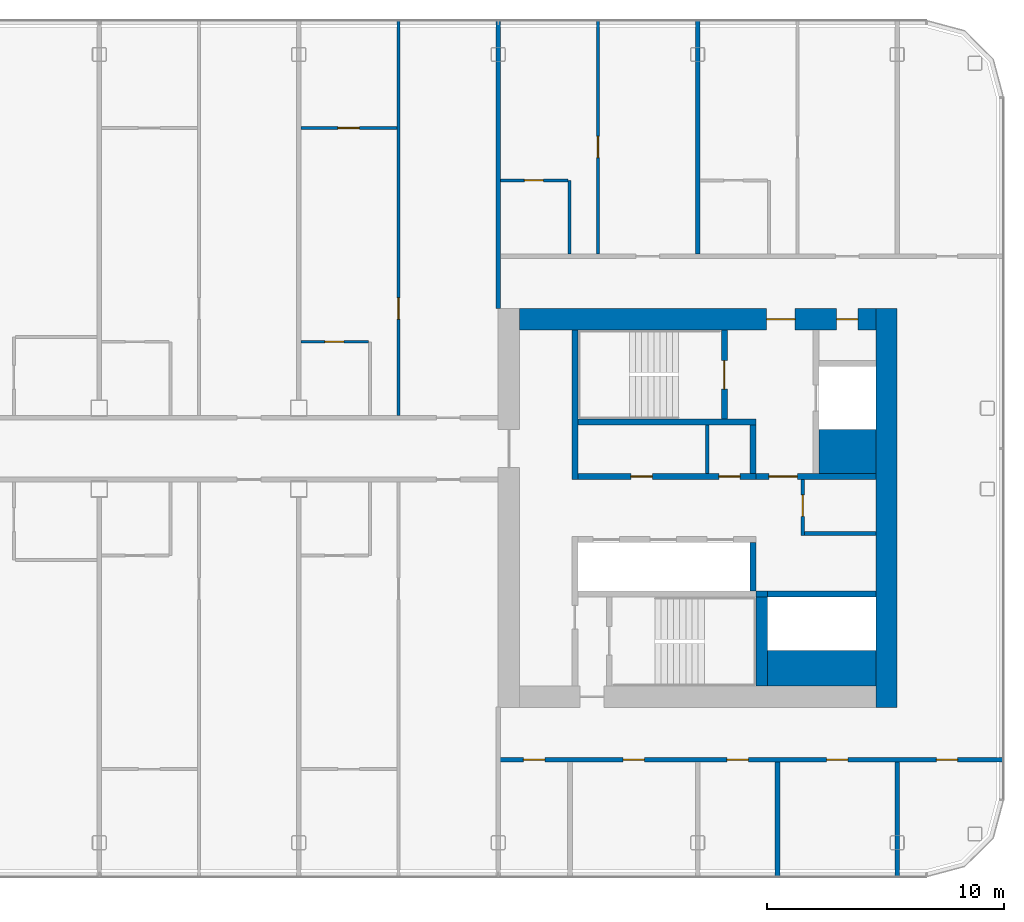
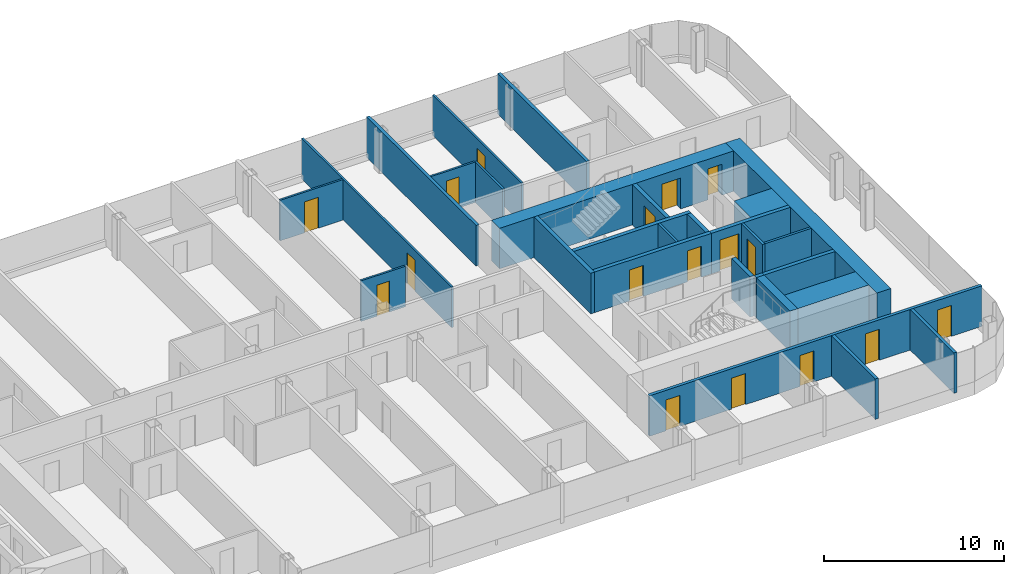
# One storey, part 16 of 26: 28 walls, 17 doors, 17 openings.
"""IFC4 building model written with IfcOpenShell, lengths in metres."""

from ifc_helpers import new_model, si_unit, direction, frame, frame_2d, origin, place, context, subcontext, project, spatial, rectangle, extrude, material, layer, layer_set, type_object, element, fill, save


model = new_model("IFC4")

# Units and contexts
model_context = context("Model", 3, precision=1e-05, world=origin(), true_north=direction((0.0, 1.0)))
body_context = subcontext(model_context, "Body", "Model", "MODEL_VIEW")
ifc_project = project(units=[si_unit("LENGTHUNIT", "METRE"), si_unit("AREAUNIT", "SQUARE_METRE"), si_unit("VOLUMEUNIT", "CUBIC_METRE"), si_unit("PLANEANGLEUNIT", "RADIAN"), si_unit("MASSUNIT", "GRAM", prefix="KILO")], contexts=[model_context])

# Site, building, storey
site_placement = place(None, origin())
site = spatial("IfcSite", under=ifc_project, at=site_placement, CompositionType="ELEMENT")
building_placement = place(site_placement, origin())
building = spatial("IfcBuilding", under=site, at=building_placement, Name="Hakoniwa Tower and Hamabe Station Hall", CompositionType="ELEMENT")
storey_placement = place(building_placement, frame((0.0, 0.0, 199.39990234375)))
storey = spatial("IfcBuildingStorey", under=building, at=storey_placement, Name="L56", CompositionType="ELEMENT", Elevation=199.39990234375)

# Wall, opening, door
ifc_material_1 = material(Name="Gypsum board partition", Category="gypsum")
ifc_layer_1 = layer(ifc_material_1, 0.125)
ifc_layer_set_1 = layer_set([ifc_layer_1], Name="Bathroom Partition 125")
wall_type_1 = type_object("IfcWallType", Name="Bathroom Partition 125", PredefinedType="PARTITIONING", material=ifc_layer_set_1)
wall_1_placement = place(storey_placement, frame((8.5, 7.0, 0.0), z_axis=(0.0, 0.0, 1.0), x_axis=(1.0, 0.0, 0.0)))
wall_1 = element("IfcWall", 1, at=wall_1_placement, inside=storey, type_object=wall_type_1, Name="GW-L56-014", PredefinedType="PARTITIONING", context=body_context, shape_type="SweptSolid", body=[
    extrude(rectangle(XDim=2.83740234375, YDim=0.125, at=frame_2d((1.418701171875, 0.0))), origin(), (0.0, 0.0, 1.0), 2.75),
])
opening_1_placement = place(wall_1_placement, frame((1.0, 0.0, 0.0)))
opening_1 = element("IfcOpeningElement", 2, at=opening_1_placement, cuts=wall_1, Name="Opening GD-G4E0-26", PredefinedType="OPENING", context=body_context, shape_type="SweptSolid", body=[
    extrude(rectangle(XDim=0.800048828125, YDim=2.10009765625, at=frame_2d((0.39990234375, 1.050048828125))), frame((0.0, 0.072509765625, 0.0), z_axis=(0.0, -1.0, 0.0), x_axis=(1.0, 0.0, 0.0)), (0.0, 0.0, 1.0), 0.14501953125),
])
ifc_material_2 = material(Name="Timber door leaf", Category="wood")
door_type_1 = type_object("IfcDoorType", Name="Bathroom Door 800", OperationType="SINGLE_SWING_LEFT", PredefinedType="DOOR", material=ifc_material_2)
door_1_placement = place(opening_1_placement, origin())
door_1 = element("IfcDoor", 3, at=door_1_placement, inside=storey, type_object=door_type_1, Name="Door GD-G4E0-26", OperationType="SINGLE_SWING_LEFT", OverallHeight=2.10009765625, OverallWidth=0.800048828125, PredefinedType="DOOR", context=body_context, shape_type="SweptSolid", body=[
    extrude(rectangle(XDim=0.800048828125, YDim=2.10009765625, at=frame_2d((0.39990234375, 1.050048828125))), frame((0.0, 0.02490234375, 0.0), z_axis=(0.0, -1.0, 0.0), x_axis=(1.0, 0.0, 0.0)), (0.0, 0.0, 1.0), 0.050048828125),
])
fill(opening_1, door_1)

wall_2_placement = place(storey_placement, frame((16.89990234375, 13.800048828125, 0.0), z_axis=(0.0, 0.0, 1.0), x_axis=(1.0, 0.0, 0.0)))
wall_2 = element("IfcWall", 4, at=wall_2_placement, inside=storey, type_object=wall_type_1, Name="GW-L56-018", PredefinedType="PARTITIONING", context=body_context, shape_type="SweptSolid", body=[
    extrude(rectangle(XDim=2.837646484375, YDim=0.125, at=frame_2d((1.4189453125, 0.0))), origin(), (0.0, 0.0, 1.0), 2.75),
])
opening_2_placement = place(wall_2_placement, frame((1.0, 0.0, 0.0)))
opening_2 = element("IfcOpeningElement", 5, at=opening_2_placement, cuts=wall_2, Name="Opening GD-G4E0-35", PredefinedType="OPENING", context=body_context, shape_type="SweptSolid", body=[
    extrude(rectangle(XDim=0.800048828125, YDim=2.10009765625, at=frame_2d((0.39990234375, 1.050048828125))), frame((0.0, 0.072509765625, 0.0), z_axis=(0.0, -1.0, 0.0), x_axis=(1.0, 0.0, 0.0)), (0.0, 0.0, 1.0), 0.14501953125),
])
door_2_placement = place(opening_2_placement, origin())
door_2 = element("IfcDoor", 6, at=door_2_placement, inside=storey, type_object=door_type_1, Name="Door GD-G4E0-35", OperationType="SINGLE_SWING_LEFT", OverallHeight=2.10009765625, OverallWidth=0.800048828125, PredefinedType="DOOR", context=body_context, shape_type="SweptSolid", body=[
    extrude(rectangle(XDim=0.800048828125, YDim=2.10009765625, at=frame_2d((0.39990234375, 1.050048828125))), frame((0.0, 0.02490234375, 0.0), z_axis=(0.0, -1.0, 0.0), x_axis=(1.0, 0.0, 0.0)), (0.0, 0.0, 1.0), 0.050048828125),
])
fill(opening_2, door_2)

# Wall
wall_3_placement = place(storey_placement, frame((19.800048828125, 10.699951171875, 0.0), z_axis=(0.0, 0.0, 1.0), x_axis=(0.0, 1.0, 0.0)))
element("IfcWall", 7, at=wall_3_placement, inside=storey, type_object=wall_type_1, Name="GW-L56-054", PredefinedType="PARTITIONING", context=body_context, shape_type="SweptSolid", body=[
    extrude(rectangle(XDim=3.10009765625, YDim=0.125, at=frame_2d((1.550048828125, 0.0))), origin(), (0.0, 0.0, 1.0), 2.75),
])

# Wall, opening, door
ifc_material_3 = material(Name="Gypsum board partition")
ifc_layer_2 = layer(ifc_material_3, 0.14990234375)
ifc_layer_set_2 = layer_set([ifc_layer_2], Name="CORE PARTITION 150 EI 60")
wall_type_2 = type_object("IfcWallType", Name="CORE PARTITION 150 EI 60", PredefinedType="PARTITIONING", material=ifc_layer_set_2)
wall_4_placement = place(storey_placement, frame((29.625, -1.14990234375, 0.0), z_axis=(0.0, 0.0, 1.0), x_axis=(0.0, 1.0, 0.0)))
wall_4 = element("IfcWall", 8, at=wall_4_placement, inside=storey, type_object=wall_type_2, Name="Core partition PW0 east", PredefinedType="PARTITIONING", context=body_context, shape_type="SweptSolid", body=[
    extrude(rectangle(XDim=2.349853515625, YDim=0.14990234375, at=frame_2d((1.1748046875, 0.0))), origin(), (0.0, 0.0, 1.0), 2.75),
])
opening_3_placement = place(wall_4_placement, frame((0.800048828125, 0.0, 0.0)))
opening_3 = element("IfcOpeningElement", 9, at=opening_3_placement, cuts=wall_4, Name="Opening CD-E-RM1-9", PredefinedType="OPENING", context=body_context, shape_type="SweptSolid", body=[
    extrude(rectangle(XDim=0.89990234375, YDim=2.10009765625, at=frame_2d((0.449951171875, 1.050048828125))), frame((0.0, 0.0849609375, 0.0), z_axis=(0.0, -1.0, 0.0), x_axis=(1.0, 0.0, 0.0)), (0.0, 0.0, 1.0), 0.169921875),
])
ifc_material_4 = material(Name="Steel fire door", Category="steel")
door_type_2 = type_object("IfcDoorType", Name="CORE DOOR 900 FD30", OperationType="NOTDEFINED", PredefinedType="DOOR", material=ifc_material_4)
door_3_placement = place(opening_3_placement, origin())
door_3 = element("IfcDoor", 10, at=door_3_placement, inside=storey, type_object=door_type_2, Name="Store room door", OperationType="SINGLE_SWING_LEFT", OverallHeight=2.10009765625, OverallWidth=0.89990234375, PredefinedType="DOOR", context=body_context, shape_type="SweptSolid", body=[
    extrude(rectangle(XDim=0.89990234375, YDim=2.10009765625, at=frame_2d((0.449951171875, 1.050048828125))), frame((0.0, 0.02490234375, 0.0), z_axis=(0.0, -1.0, 0.0), x_axis=(1.0, 0.0, 0.0)), (0.0, 0.0, 1.0), 0.050048828125),
])
fill(opening_3, door_3)

# Walls
wall_5_placement = place(storey_placement, frame((29.699951171875, -1.074951171875, 0.0), z_axis=(0.0, 0.0, 1.0), x_axis=(1.0, 0.0, 0.0)))
element("IfcWall", 11, at=wall_5_placement, inside=storey, type_object=wall_type_2, Name="Core partition PS east", PredefinedType="PARTITIONING", context=body_context, shape_type="SweptSolid", body=[
    extrude(rectangle(XDim=3.0, YDim=0.14990234375, at=frame_2d((1.5, 0.0))), origin(), (0.0, 0.0, 1.0), 2.75),
])
wall_6_placement = place(storey_placement, frame((25.60009765625, 1.449951171875, 0.0), z_axis=(0.0, 0.0, 1.0), x_axis=(0.0, 1.0, 0.0)))
element("IfcWall", 12, at=wall_6_placement, inside=storey, type_object=wall_type_2, Name="Core partition PFLR0 east", PredefinedType="PARTITIONING", context=body_context, shape_type="SweptSolid", body=[
    extrude(rectangle(XDim=2.050048828125, YDim=0.14990234375, at=frame_2d((1.02490234375, 0.0))), origin(), (0.0, 0.0, 1.0), 2.75),
])
ifc_material_5 = material(Name="Concrete C60", Category="concrete")
ifc_layer_3 = layer(ifc_material_5, 0.89990234375)
ifc_layer_set_3 = layer_set([ifc_layer_3], Name="CORE WALL 900 C60")
wall_type_3 = type_object("IfcWallType", Name="CORE WALL 900 C60", PredefinedType="SHEAR", material=ifc_layer_set_3)
wall_7_placement = place(storey_placement, frame((33.14990234375, -8.39990234375, 0.0), z_axis=(0.0, 0.0, 1.0), x_axis=(0.0, 1.0, 0.0)))
element("IfcWall", 13, at=wall_7_placement, inside=storey, type_object=wall_type_3, Name="Core wall OUTER east", PredefinedType="SHEAR", context=body_context, shape_type="SweptSolid", body=[
    extrude(rectangle(XDim=16.7998046875, YDim=0.89990234375, at=frame_2d((8.39990234375, 0.0))), origin(), (0.0, 0.0, 1.0), 2.75),
])

# Wall, openings, doors
wall_8_placement = place(storey_placement, frame((17.699951171875, 7.949951171875, 0.0), z_axis=(0.0, 0.0, 1.0), x_axis=(1.0, 0.0, 0.0)))
wall_8 = element("IfcWall", 14, at=wall_8_placement, inside=storey, type_object=wall_type_3, Name="Core wall NORTH east", PredefinedType="SHEAR", context=body_context, shape_type="SweptSolid", body=[
    extrude(rectangle(XDim=15.0, YDim=0.89990234375, at=frame_2d((7.5, 0.0))), origin(), (0.0, 0.0, 1.0), 2.75),
])
opening_4_placement = place(wall_8_placement, frame((10.39990234375, 0.0, 0.0)))
opening_4 = element("IfcOpeningElement", 15, at=opening_4_placement, cuts=wall_8, Name="Opening CD-E-FN1-12", PredefinedType="OPENING", context=body_context, shape_type="SweptSolid", body=[
    extrude(rectangle(XDim=1.199951171875, YDim=2.10009765625, at=frame_2d((0.60009765625, 1.050048828125))), frame((0.0, 0.4599609375, 0.0), z_axis=(0.0, -1.0, 0.0), x_axis=(1.0, 0.0, 0.0)), (0.0, 0.0, 1.0), 0.919921875),
])
opening_5_placement = place(wall_8_placement, frame((13.35009765625, 0.0, 0.0)))
opening_5 = element("IfcOpeningElement", 16, at=opening_5_placement, cuts=wall_8, Name="Opening CD-E-FN2-9", PredefinedType="OPENING", context=body_context, shape_type="SweptSolid", body=[
    extrude(rectangle(XDim=0.89990234375, YDim=2.10009765625, at=frame_2d((0.449951171875, 1.050048828125))), frame((0.0, 0.4599609375, 0.0), z_axis=(0.0, -1.0, 0.0), x_axis=(1.0, 0.0, 0.0)), (0.0, 0.0, 1.0), 0.919921875),
])
ifc_material_6 = material(Name="Steel fire door", Category="steel")
door_type_3 = type_object("IfcDoorType", Name="CORE DOOR 1200 FD60", OperationType="DOUBLE_DOOR_SINGLE_SWING", PredefinedType="DOOR", material=ifc_material_6)
door_4_placement = place(opening_4_placement, origin())
door_4 = element("IfcDoor", 17, at=door_4_placement, inside=storey, type_object=door_type_3, Name="Stair vestibule door to the fire-fighting lobby", OperationType="DOUBLE_DOOR_SINGLE_SWING", OverallHeight=2.10009765625, OverallWidth=1.199951171875, PredefinedType="DOOR", context=body_context, shape_type="SweptSolid", body=[
    extrude(rectangle(XDim=1.199951171875, YDim=2.10009765625, at=frame_2d((0.60009765625, 1.050048828125))), frame((0.0, 0.02490234375, 0.0), z_axis=(0.0, -1.0, 0.0), x_axis=(1.0, 0.0, 0.0)), (0.0, 0.0, 1.0), 0.050048828125),
])
fill(opening_4, door_4)
door_5_placement = place(opening_5_placement, origin())
door_5 = element("IfcDoor", 18, at=door_5_placement, inside=storey, type_object=door_type_2, Name="Riser access door", OperationType="SINGLE_SWING_LEFT", OverallHeight=2.10009765625, OverallWidth=0.89990234375, PredefinedType="DOOR", context=body_context, shape_type="SweptSolid", body=[
    extrude(rectangle(XDim=0.89990234375, YDim=2.10009765625, at=frame_2d((0.449951171875, 1.050048828125))), frame((0.0, 0.02490234375, 0.0), z_axis=(0.0, -1.0, 0.0), x_axis=(1.0, 0.0, 0.0)), (0.0, 0.0, 1.0), 0.050048828125),
])
fill(opening_5, door_5)

# Walls
ifc_material_7 = material(Name="Concrete C60", Category="concrete")
ifc_layer_4 = layer(ifc_material_7, 1.5)
ifc_layer_set_4 = layer_set([ifc_layer_4], Name="CORE WEB WALL 1500 C60")
wall_type_4 = type_object("IfcWallType", Name="CORE WEB WALL 1500 C60", PredefinedType="SHEAR", material=ifc_layer_set_4)
wall_9_placement = place(storey_placement, frame((28.14990234375, -6.75, 0.0), z_axis=(0.0, 0.0, 1.0), x_axis=(1.0, 0.0, 0.0)))
element("IfcWall", 19, at=wall_9_placement, inside=storey, type_object=wall_type_4, Name="Core wall SER east", PredefinedType="SHEAR", context=body_context, shape_type="SweptSolid", body=[
    extrude(rectangle(XDim=4.550048828125, YDim=1.5, at=frame_2d((2.27490234375, 0.0))), origin(), (0.0, 0.0, 1.0), 2.75),
])
ifc_material_8 = material(Name="Concrete C60", Category="concrete")
ifc_layer_5 = layer(ifc_material_8, 1.85009765625)
ifc_layer_set_5 = layer_set([ifc_layer_5], Name="CORE WEB WALL 1850 C60")
wall_type_5 = type_object("IfcWallType", Name="CORE WEB WALL 1850 C60", PredefinedType="SHEAR", material=ifc_layer_set_5)
wall_10_placement = place(storey_placement, frame((30.300048828125, 2.375, 0.0), z_axis=(0.0, 0.0, 1.0), x_axis=(1.0, 0.0, 0.0)))
element("IfcWall", 20, at=wall_10_placement, inside=storey, type_object=wall_type_5, Name="Core wall CA east", PredefinedType="SHEAR", context=body_context, shape_type="SweptSolid", body=[
    extrude(rectangle(XDim=2.39990234375, YDim=1.85009765625, at=frame_2d((1.199951171875, 0.0))), origin(), (0.0, 0.0, 1.0), 2.75),
])
ifc_material_9 = material(Name="Concrete C60", Category="concrete")
ifc_layer_6 = layer(ifc_material_9, 0.25)
ifc_layer_set_6 = layer_set([ifc_layer_6], Name="CORE WEB WALL 250 C60")
wall_type_6 = type_object("IfcWallType", Name="CORE WEB WALL 250 C60", PredefinedType="SHEAR", material=ifc_layer_set_6)
wall_11_placement = place(storey_placement, frame((20.02490234375, 1.199951171875, 0.0), z_axis=(0.0, 0.0, 1.0), x_axis=(0.0, 1.0, 0.0)))
element("IfcWall", 21, at=wall_11_placement, inside=storey, type_object=wall_type_6, Name="Core wall W1N east", PredefinedType="SHEAR", context=body_context, shape_type="SweptSolid", body=[
    extrude(rectangle(XDim=6.300048828125, YDim=0.25, at=frame_2d((3.14990234375, 0.0))), origin(), (0.0, 0.0, 1.0), 2.75),
])

# Wall, openings, doors
wall_12_placement = place(storey_placement, frame((20.14990234375, 1.324951171875, 0.0), z_axis=(0.0, 0.0, 1.0), x_axis=(1.0, 0.0, 0.0)))
wall_12 = element("IfcWall", 22, at=wall_12_placement, inside=storey, type_object=wall_type_6, Name="Core wall NF east", PredefinedType="SHEAR", context=body_context, shape_type="SweptSolid", body=[
    extrude(rectangle(XDim=7.5, YDim=0.25, at=frame_2d((3.75, 0.0))), origin(), (0.0, 0.0, 1.0), 2.75),
])
opening_6_placement = place(wall_12_placement, frame((2.237548828125, 0.0, 0.0)))
opening_6 = element("IfcOpeningElement", 23, at=opening_6_placement, cuts=wall_12, Name="Opening CD-E-FRLR0-9", PredefinedType="OPENING", context=body_context, shape_type="SweptSolid", body=[
    extrude(rectangle(XDim=0.89990234375, YDim=2.10009765625, at=frame_2d((0.449951171875, 1.050048828125))), frame((0.0, 0.135009765625, 0.0), z_axis=(0.0, -1.0, 0.0), x_axis=(1.0, 0.0, 0.0)), (0.0, 0.0, 1.0), 0.27001953125),
])
opening_7_placement = place(wall_12_placement, frame((5.9375, 0.0, 0.0)))
opening_7 = element("IfcOpeningElement", 24, at=opening_7_placement, cuts=wall_12, Name="Opening CD-E-FRLR1-9", PredefinedType="OPENING", context=body_context, shape_type="SweptSolid", body=[
    extrude(rectangle(XDim=0.89990234375, YDim=2.10009765625, at=frame_2d((0.449951171875, 1.050048828125))), frame((0.0, 0.135009765625, 0.0), z_axis=(0.0, -1.0, 0.0), x_axis=(1.0, 0.0, 0.0)), (0.0, 0.0, 1.0), 0.27001953125),
])
door_6_placement = place(opening_6_placement, origin())
door_6 = element("IfcDoor", 25, at=door_6_placement, inside=storey, type_object=door_type_2, Name="Store room door", OperationType="SINGLE_SWING_LEFT", OverallHeight=2.10009765625, OverallWidth=0.89990234375, PredefinedType="DOOR", context=body_context, shape_type="SweptSolid", body=[
    extrude(rectangle(XDim=0.89990234375, YDim=2.10009765625, at=frame_2d((0.449951171875, 1.050048828125))), frame((0.0, 0.02490234375, 0.0), z_axis=(0.0, -1.0, 0.0), x_axis=(1.0, 0.0, 0.0)), (0.0, 0.0, 1.0), 0.050048828125),
])
fill(opening_6, door_6)
door_7_placement = place(opening_7_placement, origin())
door_7 = element("IfcDoor", 26, at=door_7_placement, inside=storey, type_object=door_type_2, Name="Store room door", OperationType="SINGLE_SWING_RIGHT", OverallHeight=2.10009765625, OverallWidth=0.89990234375, PredefinedType="DOOR", context=body_context, shape_type="SweptSolid", body=[
    extrude(rectangle(XDim=0.89990234375, YDim=2.10009765625, at=frame_2d((0.449951171875, 1.050048828125))), frame((0.0, 0.02490234375, 0.0), z_axis=(0.0, -1.0, 0.0), x_axis=(1.0, 0.0, 0.0)), (0.0, 0.0, 1.0), 0.050048828125),
])
fill(opening_7, door_7)

# Walls
wall_13_placement = place(storey_placement, frame((27.52490234375, 1.449951171875, 0.0), z_axis=(0.0, 0.0, 1.0), x_axis=(0.0, 1.0, 0.0)))
element("IfcWall", 27, at=wall_13_placement, inside=storey, type_object=wall_type_6, Name="Core wall NE east", PredefinedType="SHEAR", context=body_context, shape_type="SweptSolid", body=[
    extrude(rectangle(XDim=2.050048828125, YDim=0.25, at=frame_2d((1.02490234375, 0.0))), origin(), (0.0, 0.0, 1.0), 2.75),
])
wall_14_placement = place(storey_placement, frame((20.14990234375, 3.625, 0.0), z_axis=(0.0, 0.0, 1.0), x_axis=(1.0, 0.0, 0.0)))
element("IfcWall", 28, at=wall_14_placement, inside=storey, type_object=wall_type_6, Name="Core wall NR east", PredefinedType="SHEAR", context=body_context, shape_type="SweptSolid", body=[
    extrude(rectangle(XDim=7.5, YDim=0.25, at=frame_2d((3.75, 0.0))), origin(), (0.0, 0.0, 1.0), 2.75),
])

# Wall, opening, door
wall_15_placement = place(storey_placement, frame((26.324951171875, 3.75, 0.0), z_axis=(0.0, 0.0, 1.0), x_axis=(0.0, 1.0, 0.0)))
wall_15 = element("IfcWall", 29, at=wall_15_placement, inside=storey, type_object=wall_type_6, Name="Core wall NSE east", PredefinedType="SHEAR", context=body_context, shape_type="SweptSolid", body=[
    extrude(rectangle(XDim=3.75, YDim=0.25, at=frame_2d((1.875, 0.0))), origin(), (0.0, 0.0, 1.0), 2.75),
])
opening_8_placement = place(wall_15_placement, frame((1.25, 0.0, 0.0)))
opening_8 = element("IfcOpeningElement", 30, at=opening_8_placement, cuts=wall_15, Name="Opening CD-E-SN-12", PredefinedType="OPENING", context=body_context, shape_type="SweptSolid", body=[
    extrude(rectangle(XDim=1.199951171875, YDim=2.10009765625, at=frame_2d((0.60009765625, 1.050048828125))), frame((0.0, 0.135009765625, 0.0), z_axis=(0.0, -1.0, 0.0), x_axis=(1.0, 0.0, 0.0)), (0.0, 0.0, 1.0), 0.27001953125),
])
door_8_placement = place(opening_8_placement, origin())
door_8 = element("IfcDoor", 31, at=door_8_placement, inside=storey, type_object=door_type_3, Name="Escape stair door", OperationType="DOUBLE_DOOR_SINGLE_SWING", OverallHeight=2.10009765625, OverallWidth=1.199951171875, PredefinedType="DOOR", context=body_context, shape_type="SweptSolid", body=[
    extrude(rectangle(XDim=1.199951171875, YDim=2.10009765625, at=frame_2d((0.60009765625, 1.050048828125))), frame((0.0, 0.02490234375, 0.0), z_axis=(0.0, -1.0, 0.0), x_axis=(1.0, 0.0, 0.0)), (0.0, 0.0, 1.0), 0.050048828125),
])
fill(opening_8, door_8)

wall_16_placement = place(storey_placement, frame((27.64990234375, 1.324951171875, 0.0), z_axis=(0.0, 0.0, 1.0), x_axis=(1.0, 0.0, 0.0)))
wall_16 = element("IfcWall", 32, at=wall_16_placement, inside=storey, type_object=wall_type_6, Name="Core wall ELN east", PredefinedType="SHEAR", context=body_context, shape_type="SweptSolid", body=[
    extrude(rectangle(XDim=5.050048828125, YDim=0.25, at=frame_2d((2.52490234375, 0.0))), origin(), (0.0, 0.0, 1.0), 2.75),
])
opening_9_placement = place(wall_16_placement, frame((0.550048828125, 0.0, 0.0)))
opening_9 = element("IfcOpeningElement", 33, at=opening_9_placement, cuts=wall_16, Name="Opening CD-E-FL-12", PredefinedType="OPENING", context=body_context, shape_type="SweptSolid", body=[
    extrude(rectangle(XDim=1.199951171875, YDim=2.10009765625, at=frame_2d((0.60009765625, 1.050048828125))), frame((0.0, 0.135009765625, 0.0), z_axis=(0.0, -1.0, 0.0), x_axis=(1.0, 0.0, 0.0)), (0.0, 0.0, 1.0), 0.27001953125),
])
door_9_placement = place(opening_9_placement, origin())
door_9 = element("IfcDoor", 34, at=door_9_placement, inside=storey, type_object=door_type_3, Name="Stair vestibule door to the fire-fighting lobby", OperationType="DOUBLE_DOOR_SINGLE_SWING", OverallHeight=2.10009765625, OverallWidth=1.199951171875, PredefinedType="DOOR", context=body_context, shape_type="SweptSolid", body=[
    extrude(rectangle(XDim=1.199951171875, YDim=2.10009765625, at=frame_2d((0.60009765625, 1.050048828125))), frame((0.0, 0.02490234375, 0.0), z_axis=(0.0, -1.0, 0.0), x_axis=(1.0, 0.0, 0.0)), (0.0, 0.0, 1.0), 0.050048828125),
])
fill(opening_9, door_9)

# Walls
wall_17_placement = place(storey_placement, frame((27.52490234375, -3.5, 0.0), z_axis=(0.0, 0.0, 1.0), x_axis=(0.0, 1.0, 0.0)))
element("IfcWall", 35, at=wall_17_placement, inside=storey, type_object=wall_type_6, Name="Core wall SE east", PredefinedType="SHEAR", context=body_context, shape_type="SweptSolid", body=[
    extrude(rectangle(XDim=2.050048828125, YDim=0.25, at=frame_2d((1.02490234375, 0.0))), origin(), (0.0, 0.0, 1.0), 2.75),
])
wall_18_placement = place(storey_placement, frame((28.14990234375, -3.625, 0.0), z_axis=(0.0, 0.0, 1.0), x_axis=(1.0, 0.0, 0.0)))
element("IfcWall", 36, at=wall_18_placement, inside=storey, type_object=wall_type_6, Name="Core wall SEF east", PredefinedType="SHEAR", context=body_context, shape_type="SweptSolid", body=[
    extrude(rectangle(XDim=4.550048828125, YDim=0.25, at=frame_2d((2.27490234375, 0.0))), origin(), (0.0, 0.0, 1.0), 2.75),
])
wall_19_placement = place(storey_placement, frame((27.64990234375, -3.625, 0.0), z_axis=(0.0, 0.0, 1.0), x_axis=(1.0, 0.0, 0.0)))
element("IfcWall", 37, at=wall_19_placement, inside=storey, type_object=wall_type_6, Name="Core wall SRK east", PredefinedType="SHEAR", context=body_context, shape_type="SweptSolid", body=[
    extrude(rectangle(XDim=0.5, YDim=0.25, at=frame_2d((0.25, 0.0))), origin(), (0.0, 0.0, 1.0), 2.75),
])
ifc_material_10 = material(Name="Concrete C60", Category="concrete")
ifc_layer_7 = layer(ifc_material_10, 0.5)
ifc_layer_set_7 = layer_set([ifc_layer_7], Name="CORE WEB WALL 500 C60")
wall_type_7 = type_object("IfcWallType", Name="CORE WEB WALL 500 C60", PredefinedType="SHEAR", material=ifc_layer_set_7)
wall_20_placement = place(storey_placement, frame((27.89990234375, -7.5, 0.0), z_axis=(0.0, 0.0, 1.0), x_axis=(0.0, 1.0, 0.0)))
element("IfcWall", 38, at=wall_20_placement, inside=storey, type_object=wall_type_7, Name="Core wall SSE east", PredefinedType="SHEAR", context=body_context, shape_type="SweptSolid", body=[
    extrude(rectangle(XDim=3.75, YDim=0.5, at=frame_2d((1.875, 0.0))), origin(), (0.0, 0.0, 1.0), 2.75),
])

# Wall, openings, doors
ifc_material_11 = material(Name="Fire-rated gypsum board partition", Category="gypsum")
ifc_layer_8 = layer(ifc_material_11, 0.199951171875)
ifc_layer_set_8 = layer_set([ifc_layer_8], Name="Corridor Wall 200")
wall_type_8 = type_object("IfcWallType", Name="Corridor Wall 200", PredefinedType="PARTITIONING", material=ifc_layer_set_8)
wall_21_placement = place(storey_placement, frame((16.800048828125, -10.60009765625, 0.0), z_axis=(0.0, 0.0, 1.0), x_axis=(1.0, 0.0, 0.0)))
wall_21 = element("IfcWall", 39, at=wall_21_placement, inside=storey, type_object=wall_type_8, Name="GW-L56-005", PredefinedType="PARTITIONING", context=body_context, shape_type="SweptSolid", body=[
    extrude(rectangle(XDim=21.300048828125, YDim=0.199951171875, at=frame_2d((10.64990234375, 0.0))), origin(), (0.0, 0.0, 1.0), 2.75),
])
opening_10_placement = place(wall_21_placement, frame((1.06005859375, 0.0, 0.0)))
opening_10 = element("IfcOpeningElement", 40, at=opening_10_placement, cuts=wall_21, Name="Opening GD-G4E0-08", PredefinedType="OPENING", context=body_context, shape_type="SweptSolid", body=[
    extrude(rectangle(XDim=0.89990234375, YDim=2.10009765625, at=frame_2d((0.449951171875, 1.050048828125))), frame((0.0, 0.10986328125, 0.0), z_axis=(0.0, -1.0, 0.0), x_axis=(1.0, 0.0, 0.0)), (0.0, 0.0, 1.0), 0.219970703125),
])
opening_11_placement = place(wall_21_placement, frame((5.260009765625, 0.0, 0.0)))
opening_11 = element("IfcOpeningElement", 41, at=opening_11_placement, cuts=wall_21, Name="Opening GD-G4E0-09", PredefinedType="OPENING", context=body_context, shape_type="SweptSolid", body=[
    extrude(rectangle(XDim=0.89990234375, YDim=2.10009765625, at=frame_2d((0.449951171875, 1.050048828125))), frame((0.0, 0.10986328125, 0.0), z_axis=(0.0, -1.0, 0.0), x_axis=(1.0, 0.0, 0.0)), (0.0, 0.0, 1.0), 0.219970703125),
])
opening_12_placement = place(wall_21_placement, frame((9.6298828125, 0.0, 0.0)))
opening_12 = element("IfcOpeningElement", 42, at=opening_12_placement, cuts=wall_21, Name="Opening GD-G4E0-10", PredefinedType="OPENING", context=body_context, shape_type="SweptSolid", body=[
    extrude(rectangle(XDim=0.89990234375, YDim=2.10009765625, at=frame_2d((0.449951171875, 1.050048828125))), frame((0.0, 0.10986328125, 0.0), z_axis=(0.0, -1.0, 0.0), x_axis=(1.0, 0.0, 0.0)), (0.0, 0.0, 1.0), 0.219970703125),
])
opening_13_placement = place(wall_21_placement, frame((13.830078125, 0.0, 0.0)))
opening_13 = element("IfcOpeningElement", 43, at=opening_13_placement, cuts=wall_21, Name="Opening GD-G4E0-11", PredefinedType="OPENING", context=body_context, shape_type="SweptSolid", body=[
    extrude(rectangle(XDim=0.89990234375, YDim=2.10009765625, at=frame_2d((0.449951171875, 1.050048828125))), frame((0.0, 0.10986328125, 0.0), z_axis=(0.0, -1.0, 0.0), x_axis=(1.0, 0.0, 0.0)), (0.0, 0.0, 1.0), 0.219970703125),
])
opening_14_placement = place(wall_21_placement, frame((18.449951171875, 0.0, 0.0)))
opening_14 = element("IfcOpeningElement", 44, at=opening_14_placement, cuts=wall_21, Name="Opening GD-G4E0-12", PredefinedType="OPENING", context=body_context, shape_type="SweptSolid", body=[
    extrude(rectangle(XDim=0.89990234375, YDim=2.10009765625, at=frame_2d((0.449951171875, 1.050048828125))), frame((0.0, 0.10986328125, 0.0), z_axis=(0.0, -1.0, 0.0), x_axis=(1.0, 0.0, 0.0)), (0.0, 0.0, 1.0), 0.219970703125),
])
ifc_material_12 = material(Name="Timber door leaf", Category="wood")
door_type_4 = type_object("IfcDoorType", Name="Service Door 900", OperationType="SINGLE_SWING_LEFT", PredefinedType="DOOR", material=ifc_material_12)
door_10_placement = place(opening_10_placement, origin())
door_10 = element("IfcDoor", 45, at=door_10_placement, inside=storey, type_object=door_type_4, Name="Door GD-G4E0-08", OperationType="SINGLE_SWING_LEFT", OverallHeight=2.10009765625, OverallWidth=0.89990234375, PredefinedType="DOOR", context=body_context, shape_type="SweptSolid", body=[
    extrude(rectangle(XDim=0.89990234375, YDim=2.10009765625, at=frame_2d((0.449951171875, 1.050048828125))), frame((0.0, 0.02490234375, 0.0), z_axis=(0.0, -1.0, 0.0), x_axis=(1.0, 0.0, 0.0)), (0.0, 0.0, 1.0), 0.050048828125),
])
fill(opening_10, door_10)
door_11_placement = place(opening_11_placement, origin())
door_11 = element("IfcDoor", 46, at=door_11_placement, inside=storey, type_object=door_type_4, Name="Door GD-G4E0-09", OperationType="SINGLE_SWING_RIGHT", OverallHeight=2.10009765625, OverallWidth=0.89990234375, PredefinedType="DOOR", context=body_context, shape_type="SweptSolid", body=[
    extrude(rectangle(XDim=0.89990234375, YDim=2.10009765625, at=frame_2d((0.449951171875, 1.050048828125))), frame((0.0, 0.02490234375, 0.0), z_axis=(0.0, -1.0, 0.0), x_axis=(1.0, 0.0, 0.0)), (0.0, 0.0, 1.0), 0.050048828125),
])
fill(opening_11, door_11)
door_12_placement = place(opening_12_placement, origin())
door_12 = element("IfcDoor", 47, at=door_12_placement, inside=storey, type_object=door_type_4, Name="Door GD-G4E0-10", OperationType="SINGLE_SWING_RIGHT", OverallHeight=2.10009765625, OverallWidth=0.89990234375, PredefinedType="DOOR", context=body_context, shape_type="SweptSolid", body=[
    extrude(rectangle(XDim=0.89990234375, YDim=2.10009765625, at=frame_2d((0.449951171875, 1.050048828125))), frame((0.0, 0.02490234375, 0.0), z_axis=(0.0, -1.0, 0.0), x_axis=(1.0, 0.0, 0.0)), (0.0, 0.0, 1.0), 0.050048828125),
])
fill(opening_12, door_12)
door_13_placement = place(opening_13_placement, origin())
door_13 = element("IfcDoor", 48, at=door_13_placement, inside=storey, type_object=door_type_4, Name="Door GD-G4E0-11", OperationType="SINGLE_SWING_LEFT", OverallHeight=2.10009765625, OverallWidth=0.89990234375, PredefinedType="DOOR", context=body_context, shape_type="SweptSolid", body=[
    extrude(rectangle(XDim=0.89990234375, YDim=2.10009765625, at=frame_2d((0.449951171875, 1.050048828125))), frame((0.0, 0.02490234375, 0.0), z_axis=(0.0, -1.0, 0.0), x_axis=(1.0, 0.0, 0.0)), (0.0, 0.0, 1.0), 0.050048828125),
])
fill(opening_13, door_13)
door_14_placement = place(opening_14_placement, origin())
door_14 = element("IfcDoor", 49, at=door_14_placement, inside=storey, type_object=door_type_4, Name="Door GD-G4E0-12", OperationType="SINGLE_SWING_LEFT", OverallHeight=2.10009765625, OverallWidth=0.89990234375, PredefinedType="DOOR", context=body_context, shape_type="SweptSolid", body=[
    extrude(rectangle(XDim=0.89990234375, YDim=2.10009765625, at=frame_2d((0.449951171875, 1.050048828125))), frame((0.0, 0.02490234375, 0.0), z_axis=(0.0, -1.0, 0.0), x_axis=(1.0, 0.0, 0.0)), (0.0, 0.0, 1.0), 0.050048828125),
])
fill(opening_14, door_14)

# Walls
ifc_material_13 = material(Name="Fire-rated gypsum board partition", Category="gypsum")
ifc_layer_9 = layer(ifc_material_13, 0.199951171875)
ifc_layer_set_9 = layer_set([ifc_layer_9], Name="Party Wall 200")
wall_type_9 = type_object("IfcWallType", Name="Party Wall 200", PredefinedType="PARTITIONING", material=ifc_layer_set_9)
wall_22_placement = place(storey_placement, frame((16.800048828125, 8.389892578125, 0.0), z_axis=(0.0, 0.0, 1.0), x_axis=(0.0, 1.0, 0.0)))
element("IfcWall", 50, at=wall_22_placement, inside=storey, type_object=wall_type_9, Name="GW-L56-053", PredefinedType="PARTITIONING", context=body_context, shape_type="SweptSolid", body=[
    extrude(rectangle(XDim=12.16015625, YDim=0.199951171875, at=frame_2d((6.080078125, 0.0))), origin(), (0.0, 0.0, 1.0), 2.75),
])
wall_23_placement = place(storey_placement, frame((25.199951171875, 10.699951171875, 0.0), z_axis=(0.0, 0.0, 1.0), x_axis=(0.0, 1.0, 0.0)))
element("IfcWall", 51, at=wall_23_placement, inside=storey, type_object=wall_type_9, Name="GW-L56-058", PredefinedType="PARTITIONING", context=body_context, shape_type="SweptSolid", body=[
    extrude(rectangle(XDim=9.85009765625, YDim=0.199951171875, at=frame_2d((4.925048828125, 0.0))), origin(), (0.0, 0.0, 1.0), 2.75),
])
for number, where, z_axis, x_axis, name in (
    (52, (28.56005859375, -15.550048828125, 0.0), (0.0, 0.0, 1.0), (0.0, 1.0, 0.0), "GW-L56-060"),
    (53, (33.60009765625, -15.550048828125, 0.0), (0.0, 0.0, 1.0), (0.0, 1.0, 0.0), "GW-L56-062"),
):
    element("IfcWall", number, at=place(storey_placement, frame(where, z_axis=z_axis, x_axis=x_axis)), inside=storey, type_object=wall_type_9, Name=name, PredefinedType="PARTITIONING", context=body_context, shape_type="SweptSolid", body=[
        extrude(rectangle(XDim=4.85009765625, YDim=0.199951171875, at=frame_2d((2.425048828125, 0.0))), origin(), (0.0, 0.0, 1.0), 2.75),
    ])

# Wall, opening, door
ifc_material_14 = material(Name="Gypsum board partition", Category="gypsum")
ifc_layer_10 = layer(ifc_material_14, 0.125)
ifc_layer_set_10 = layer_set([ifc_layer_10], Name="Room Partition 125")
wall_type_10 = type_object("IfcWallType", Name="Room Partition 125", PredefinedType="PARTITIONING", material=ifc_layer_set_10)
wall_24_placement = place(storey_placement, frame((8.5, 16.0, 0.0), z_axis=(0.0, 0.0, 1.0), x_axis=(1.0, 0.0, 0.0)))
wall_24 = element("IfcWall", 54, at=wall_24_placement, inside=storey, type_object=wall_type_10, Name="GW-L56-022", PredefinedType="PARTITIONING", context=body_context, shape_type="SweptSolid", body=[
    extrude(rectangle(XDim=4.03759765625, YDim=0.125, at=frame_2d((2.018798828125, 0.0))), origin(), (0.0, 0.0, 1.0), 2.75),
])
opening_15_placement = place(wall_24_placement, frame((1.550048828125, 0.0, 0.0)))
opening_15 = element("IfcOpeningElement", 55, at=opening_15_placement, cuts=wall_24, Name="Opening GD-G4E0-39", PredefinedType="OPENING", context=body_context, shape_type="SweptSolid", body=[
    extrude(rectangle(XDim=0.89990234375, YDim=2.10009765625, at=frame_2d((0.449951171875, 1.050048828125))), frame((0.0, 0.072509765625, 0.0), z_axis=(0.0, -1.0, 0.0), x_axis=(1.0, 0.0, 0.0)), (0.0, 0.0, 1.0), 0.14501953125),
])
ifc_material_15 = material(Name="Timber door leaf", Category="wood")
door_type_5 = type_object("IfcDoorType", Name="Suite Interior Door 900", OperationType="SINGLE_SWING_LEFT", PredefinedType="DOOR", material=ifc_material_15)
door_15_placement = place(opening_15_placement, origin())
door_15 = element("IfcDoor", 56, at=door_15_placement, inside=storey, type_object=door_type_5, Name="Door GD-G4E0-39", OperationType="SINGLE_SWING_RIGHT", OverallHeight=2.10009765625, OverallWidth=0.89990234375, PredefinedType="DOOR", context=body_context, shape_type="SweptSolid", body=[
    extrude(rectangle(XDim=0.89990234375, YDim=2.10009765625, at=frame_2d((0.449951171875, 1.050048828125))), frame((0.0, 0.02490234375, 0.0), z_axis=(0.0, -1.0, 0.0), x_axis=(1.0, 0.0, 0.0)), (0.0, 0.0, 1.0), 0.050048828125),
])
fill(opening_15, door_15)

wall_25_placement = place(storey_placement, frame((12.60009765625, 3.89990234375, 0.0), z_axis=(0.0, 0.0, 1.0), x_axis=(0.0, 1.0, 0.0)))
wall_25 = element("IfcWall", 57, at=wall_25_placement, inside=storey, type_object=wall_type_10, Name="GW-L56-051", PredefinedType="PARTITIONING", context=body_context, shape_type="SweptSolid", body=[
    extrude(rectangle(XDim=16.650146484375, YDim=0.125, at=frame_2d((8.3251953125, 0.0))), origin(), (0.0, 0.0, 1.0), 2.75),
])
opening_16_placement = place(wall_25_placement, frame((4.050048828125, 0.0, 0.0)))
opening_16 = element("IfcOpeningElement", 58, at=opening_16_placement, cuts=wall_25, Name="Opening GD-G4E0-47", PredefinedType="OPENING", context=body_context, shape_type="SweptSolid", body=[
    extrude(rectangle(XDim=0.89990234375, YDim=2.10009765625, at=frame_2d((0.449951171875, 1.050048828125))), frame((0.0, 0.072509765625, 0.0), z_axis=(0.0, -1.0, 0.0), x_axis=(1.0, 0.0, 0.0)), (0.0, 0.0, 1.0), 0.14501953125),
])
door_16_placement = place(opening_16_placement, origin())
door_16 = element("IfcDoor", 59, at=door_16_placement, inside=storey, type_object=door_type_5, Name="Door GD-G4E0-47", OperationType="SINGLE_SWING_LEFT", OverallHeight=2.10009765625, OverallWidth=0.89990234375, PredefinedType="DOOR", context=body_context, shape_type="SweptSolid", body=[
    extrude(rectangle(XDim=0.89990234375, YDim=2.10009765625, at=frame_2d((0.449951171875, 1.050048828125))), frame((0.0, 0.02490234375, 0.0), z_axis=(0.0, -1.0, 0.0), x_axis=(1.0, 0.0, 0.0)), (0.0, 0.0, 1.0), 0.050048828125),
])
fill(opening_16, door_16)

wall_26_placement = place(storey_placement, frame((21.0, 10.699951171875, 0.0), z_axis=(0.0, 0.0, 1.0), x_axis=(0.0, 1.0, 0.0)))
wall_26 = element("IfcWall", 60, at=wall_26_placement, inside=storey, type_object=wall_type_10, Name="GW-L56-056", PredefinedType="PARTITIONING", context=body_context, shape_type="SweptSolid", body=[
    extrude(rectangle(XDim=9.85009765625, YDim=0.125, at=frame_2d((4.925048828125, 0.0))), origin(), (0.0, 0.0, 1.0), 2.75),
])
opening_17_placement = place(wall_26_placement, frame((4.050048828125, 0.0, 0.0)))
opening_17 = element("IfcOpeningElement", 61, at=opening_17_placement, cuts=wall_26, Name="Opening GD-G4E0-48", PredefinedType="OPENING", context=body_context, shape_type="SweptSolid", body=[
    extrude(rectangle(XDim=0.89990234375, YDim=2.10009765625, at=frame_2d((0.449951171875, 1.050048828125))), frame((0.0, 0.072509765625, 0.0), z_axis=(0.0, -1.0, 0.0), x_axis=(1.0, 0.0, 0.0)), (0.0, 0.0, 1.0), 0.14501953125),
])
door_17_placement = place(opening_17_placement, origin())
door_17 = element("IfcDoor", 62, at=door_17_placement, inside=storey, type_object=door_type_5, Name="Door GD-G4E0-48", OperationType="SINGLE_SWING_RIGHT", OverallHeight=2.10009765625, OverallWidth=0.89990234375, PredefinedType="DOOR", context=body_context, shape_type="SweptSolid", body=[
    extrude(rectangle(XDim=0.89990234375, YDim=2.10009765625, at=frame_2d((0.449951171875, 1.050048828125))), frame((0.0, 0.02490234375, 0.0), z_axis=(0.0, -1.0, 0.0), x_axis=(1.0, 0.0, 0.0)), (0.0, 0.0, 1.0), 0.050048828125),
])
fill(opening_17, door_17)

save(model, "model.ifc")
